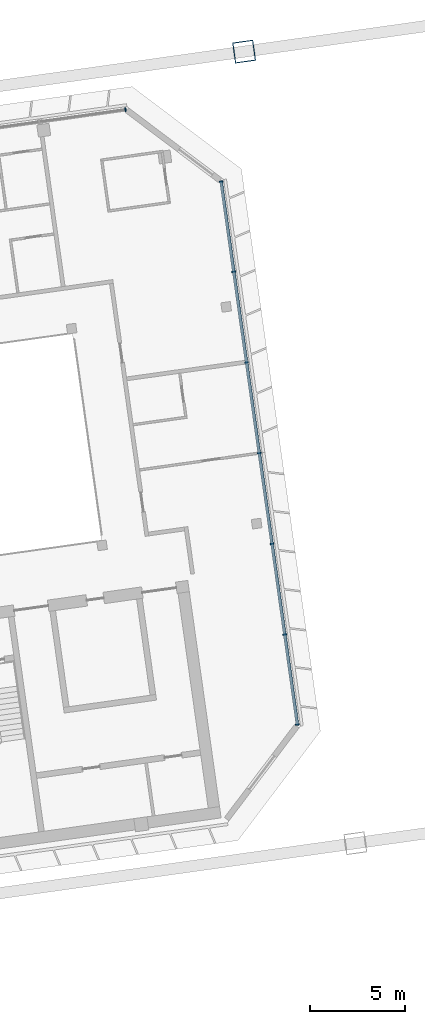
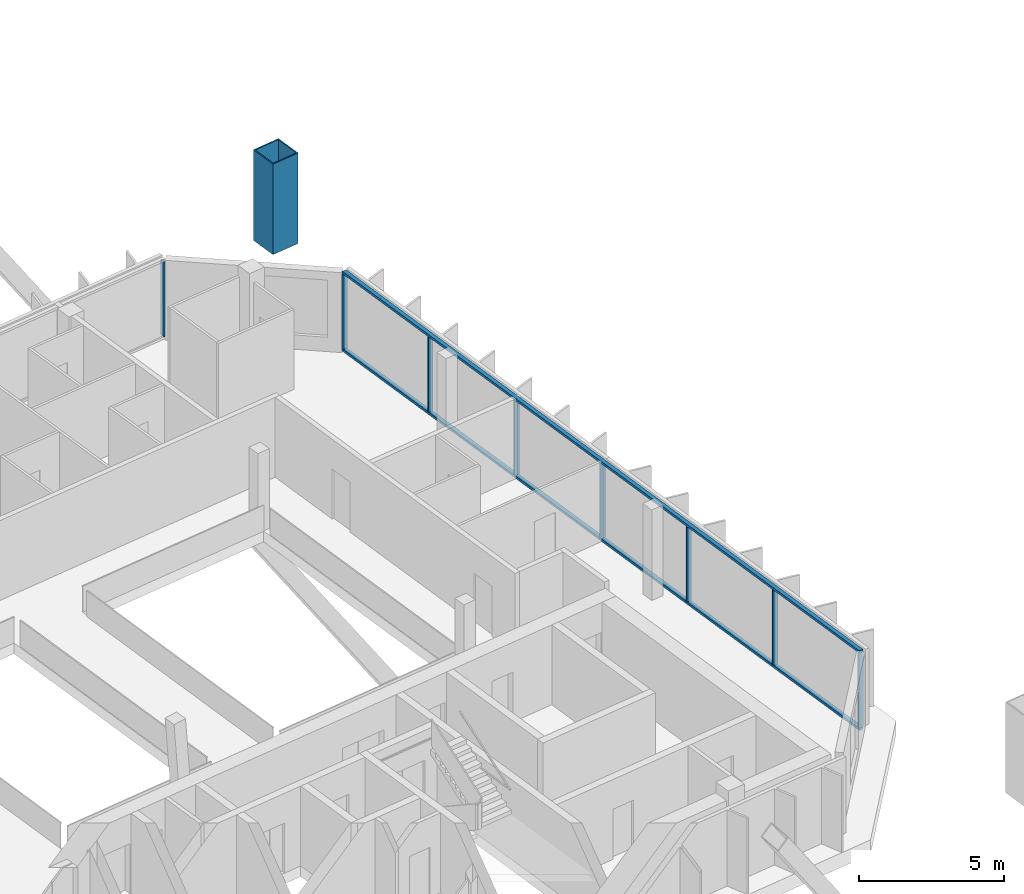
# One storey, part 17 of 28: 11 members, 2 elements without a shape of their own.
"""IFC4 building model written with IfcOpenShell, lengths in metres."""

from ifc_helpers import new_model, si_unit, direction, frame, origin, origin_2d, place, context, subcontext, project, spatial, rectangle, hollow_rectangle, extrude, material, material_profile, profile_set, type_object, element, aggregate, save


model = new_model("IFC4")

# Units and contexts
model_context = context("Model", 3, precision=1e-05, world=origin(), true_north=direction((0.0, 1.0)))
body_context = subcontext(model_context, "Body", "Model", "MODEL_VIEW")
ifc_project = project(units=[si_unit("LENGTHUNIT", "METRE"), si_unit("AREAUNIT", "SQUARE_METRE"), si_unit("VOLUMEUNIT", "CUBIC_METRE"), si_unit("PLANEANGLEUNIT", "RADIAN"), si_unit("MASSUNIT", "GRAM", prefix="KILO")], contexts=[model_context])

# Site, building, storey
site_placement = place(None, origin())
site = spatial("IfcSite", under=ifc_project, at=site_placement, CompositionType="ELEMENT")
building_placement = place(site_placement, origin())
building = spatial("IfcBuilding", under=site, at=building_placement, Name="Mirante Cascada Hotel Towers", CompositionType="ELEMENT")
storey_placement = place(building_placement, frame((0.0, 0.0, 243.2)))
storey = spatial("IfcBuildingStorey", under=building, at=storey_placement, Name="L58", CompositionType="ELEMENT", Elevation=243.2)

# Member
ifc_material_1 = material(Name="Steel ASTM A572 Gr 50", Category="steel")
ifc_material_profile_1 = material_profile(ifc_material_1, hollow_rectangle(XDim=1.1, YDim=1.1, WallThickness=0.05, at=origin_2d()), Name="Box post 1100x1100x50 ASTM A572 Gr 50")
ifc_profile_set_1 = profile_set([ifc_material_profile_1], Name="Steel ASTM A572 Gr 50")
member_type_1 = type_object("IfcMemberType", Name="Box post 1100x1100x50 ASTM A572 Gr 50", PredefinedType="POST", material=ifc_profile_set_1)
member_1_placement = place(storey_placement, frame((64.7076, 24.0842, 0.0), z_axis=(0.0, 0.0, 1.0), x_axis=(0.9902681, 0.1391731, 0.0)))
element("IfcMember", 1, at=member_1_placement, inside=storey, type_object=member_type_1, Name="Mega column MP3 T2 L58", PredefinedType="POST", context=body_context, shape_type="SweptSolid", body=[
    extrude(hollow_rectangle(XDim=1.1, YDim=1.1, WallThickness=0.05, at=origin_2d()), origin(), (0.0, 0.0, 1.0), 3.8),
])

# Curtain wall, member
ifc_material_2 = material(Name="Aluminium mullion and transom frame with clear laminated glass", Category="aluminium")
curtain_wall_type_1 = type_object("IfcCurtainWallType", Name="Ribbon curtain wall ECW1", PredefinedType="NOTDEFINED", material=ifc_material_2)
curtain_wall_1_placement = place(storey_placement, origin())
curtain_wall_1 = element("IfcCurtainWall", 2, at=curtain_wall_1_placement, inside=storey, type_object=curtain_wall_type_1, Name="Front ribbon wall T2 L58", PredefinedType="NOTDEFINED")
ifc_material_3 = material(Name="Anodised aluminium extrusion", Category="aluminium")
ifc_material_profile_2 = material_profile(ifc_material_3, rectangle(XDim=0.2, YDim=0.065, at=origin_2d()), Name="ECW1 MULLION 65x200")
ifc_profile_set_2 = profile_set([ifc_material_profile_2], Name="Anodised aluminium extrusion")
member_type_2 = type_object("IfcMemberType", Name="ECW1 mullion 65x200", PredefinedType="MULLION", material=ifc_profile_set_2)
member_2_placement = place(storey_placement, frame((58.4763, 21.0373, 0.1), z_axis=(0.0, 0.0, 1.0), x_axis=(0.1391731, -0.9902681, 0.0)))
member_2 = element("IfcMember", 3, at=member_2_placement, type_object=member_type_2, Name="ECW1 mullion 1", PredefinedType="MULLION", context=body_context, shape_type="SweptSolid", body=[
    extrude(rectangle(XDim=0.2, YDim=0.065, at=origin_2d()), origin(), (0.0, 0.0, 1.0), 3.15),
])
aggregate(curtain_wall_1, [member_2])

# Curtain wall, members
ifc_material_4 = material(Name="Aluminium mullion and transom frame with clear laminated glass", Category="aluminium")
curtain_wall_type_2 = type_object("IfcCurtainWallType", Name="End ribbon curtain wall ECW2", PredefinedType="NOTDEFINED", material=ifc_material_4)
curtain_wall_2_placement = place(storey_placement, origin())
curtain_wall_2 = element("IfcCurtainWall", 4, at=curtain_wall_2_placement, inside=storey, type_object=curtain_wall_type_2, Name="Outer end wall T2 L58", PredefinedType="NOTDEFINED")
ifc_material_5 = material(Name="Anodised aluminium extrusion", Category="aluminium")
ifc_material_profile_3 = material_profile(ifc_material_5, rectangle(XDim=0.2, YDim=0.065, at=origin_2d()), Name="ECW2 MULLION 65x200")
ifc_profile_set_3 = profile_set([ifc_material_profile_3], Name="Anodised aluminium extrusion")
member_type_3 = type_object("IfcMemberType", Name="ECW2 mullion 65x200", PredefinedType="MULLION", material=ifc_profile_set_3)
member_3_placement = place(storey_placement, frame((67.5059, -11.2758, 0.1), z_axis=(0.0, 0.0, 1.0), x_axis=(-0.9902681, -0.1391731, 0.0)))
member_3 = element("IfcMember", 5, at=member_3_placement, type_object=member_type_3, Name="ECW2 mullion 1", PredefinedType="MULLION", context=body_context, shape_type="SweptSolid", body=[
    extrude(rectangle(XDim=0.2, YDim=0.065, at=origin_2d()), origin(), (0.0, 0.0, 1.0), 3.15),
])
member_4_placement = place(storey_placement, frame((66.8407, -6.5422, 0.1), z_axis=(0.0, 0.0, 1.0), x_axis=(-0.9902681, -0.1391731, 0.0)))
member_4 = element("IfcMember", 6, at=member_4_placement, type_object=member_type_3, Name="ECW2 mullion 2", PredefinedType="MULLION", context=body_context, shape_type="SweptSolid", body=[
    extrude(rectangle(XDim=0.2, YDim=0.065, at=origin_2d()), origin(), (0.0, 0.0, 1.0), 3.15),
])
member_5_placement = place(storey_placement, frame((66.1709, -1.7764, 0.1), z_axis=(0.0, 0.0, 1.0), x_axis=(-0.9902681, -0.1391731, 0.0)))
member_5 = element("IfcMember", 7, at=member_5_placement, type_object=member_type_3, Name="ECW2 mullion 3", PredefinedType="MULLION", context=body_context, shape_type="SweptSolid", body=[
    extrude(rectangle(XDim=0.2, YDim=0.065, at=origin_2d()), origin(), (0.0, 0.0, 1.0), 3.15),
])
member_6_placement = place(storey_placement, frame((65.5011, 2.9894, 0.1), z_axis=(0.0, 0.0, 1.0), x_axis=(-0.9902681, -0.1391731, 0.0)))
member_6 = element("IfcMember", 8, at=member_6_placement, type_object=member_type_3, Name="ECW2 mullion 4", PredefinedType="MULLION", context=body_context, shape_type="SweptSolid", body=[
    extrude(rectangle(XDim=0.2, YDim=0.065, at=origin_2d()), origin(), (0.0, 0.0, 1.0), 3.15),
])
member_7_placement = place(storey_placement, frame((64.8313, 7.7551, 0.1), z_axis=(0.0, 0.0, 1.0), x_axis=(-0.9902681, -0.1391731, 0.0)))
member_7 = element("IfcMember", 9, at=member_7_placement, type_object=member_type_3, Name="ECW2 mullion 5", PredefinedType="MULLION", context=body_context, shape_type="SweptSolid", body=[
    extrude(rectangle(XDim=0.2, YDim=0.065, at=origin_2d()), origin(), (0.0, 0.0, 1.0), 3.15),
])
member_8_placement = place(storey_placement, frame((64.1615, 12.5209, 0.1), z_axis=(0.0, 0.0, 1.0), x_axis=(-0.9902681, -0.1391731, 0.0)))
member_8 = element("IfcMember", 10, at=member_8_placement, type_object=member_type_3, Name="ECW2 mullion 6", PredefinedType="MULLION", context=body_context, shape_type="SweptSolid", body=[
    extrude(rectangle(XDim=0.2, YDim=0.065, at=origin_2d()), origin(), (0.0, 0.0, 1.0), 3.15),
])
member_9_placement = place(storey_placement, frame((63.4963, 17.2545, 0.1), z_axis=(0.0, 0.0, 1.0), x_axis=(-0.9902681, -0.1391731, 0.0)))
member_9 = element("IfcMember", 11, at=member_9_placement, type_object=member_type_3, Name="ECW2 mullion 7", PredefinedType="MULLION", context=body_context, shape_type="SweptSolid", body=[
    extrude(rectangle(XDim=0.2, YDim=0.065, at=origin_2d()), origin(), (0.0, 0.0, 1.0), 3.15),
])
ifc_material_6 = material(Name="Anodised aluminium extrusion", Category="aluminium")
ifc_material_profile_4 = material_profile(ifc_material_6, rectangle(XDim=0.16, YDim=0.1, at=origin_2d()), Name="ECW2 TRANSOM 100x160")
ifc_profile_set_4 = profile_set([ifc_material_profile_4], Name="Anodised aluminium extrusion")
member_type_4 = type_object("IfcMemberType", Name="ECW2 transom 100x160", PredefinedType="USERDEFINED", material=ifc_profile_set_4)
member_10_placement = place(storey_placement, frame((67.5105, -11.308, 0.05), z_axis=(-0.1391757, 0.9902677, 0.0), x_axis=(-0.9902677, -0.1391757, 0.0)))
member_10 = element("IfcMember", 12, at=member_10_placement, type_object=member_type_4, Name="ECW2 sill transom", ObjectType="TRANSOM", PredefinedType="USERDEFINED", context=body_context, shape_type="SweptSolid", body=[
    extrude(rectangle(XDim=0.16, YDim=0.1, at=origin_2d()), origin(), (0.0, 0.0, 1.0), 28.8757),
])
member_11_placement = place(storey_placement, frame((67.5105, -11.308, 3.3), z_axis=(-0.1391757, 0.9902677, 0.0), x_axis=(-0.9902677, -0.1391757, 0.0)))
member_11 = element("IfcMember", 13, at=member_11_placement, type_object=member_type_4, Name="ECW2 head transom", ObjectType="TRANSOM", PredefinedType="USERDEFINED", context=body_context, shape_type="SweptSolid", body=[
    extrude(rectangle(XDim=0.16, YDim=0.1, at=origin_2d()), origin(), (0.0, 0.0, 1.0), 28.8757),
])
aggregate(curtain_wall_2, [member_10, member_11, member_3, member_4, member_5, member_6, member_7, member_8, member_9])

save(model, "model.ifc")
